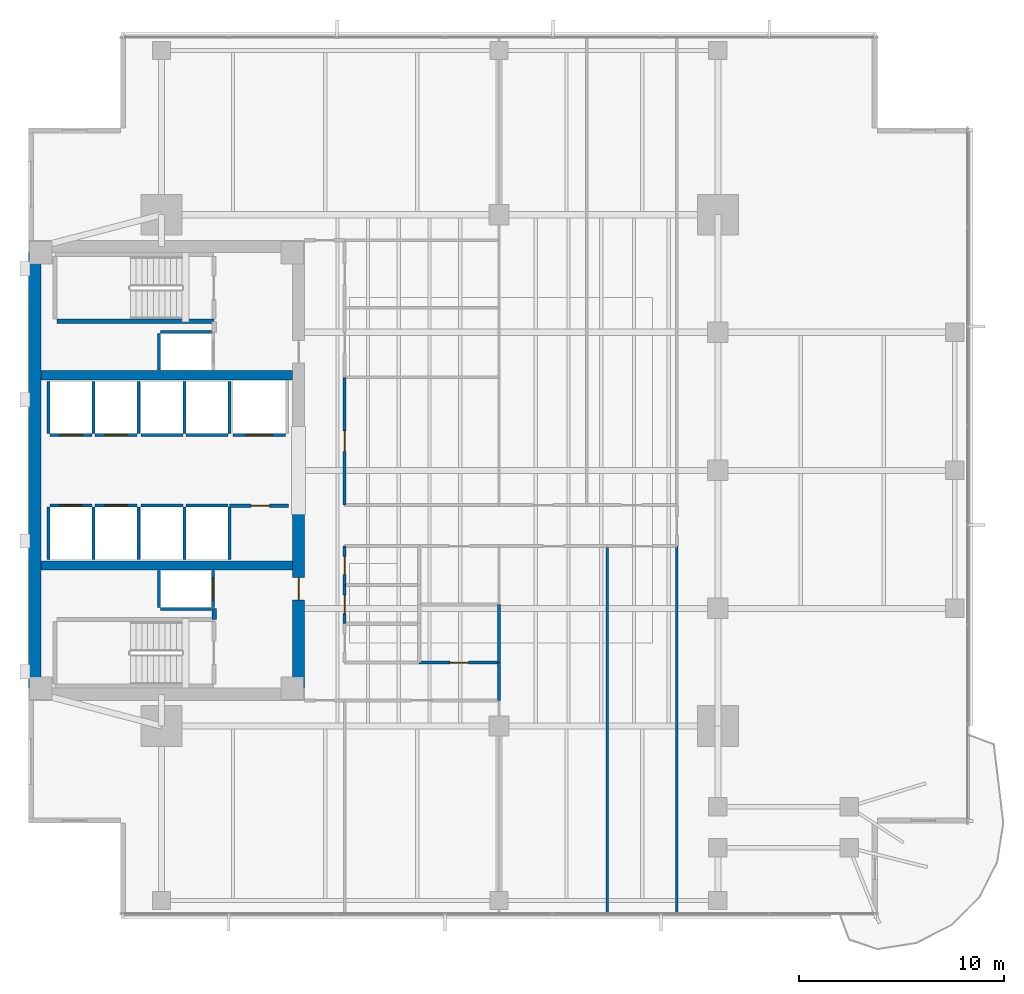
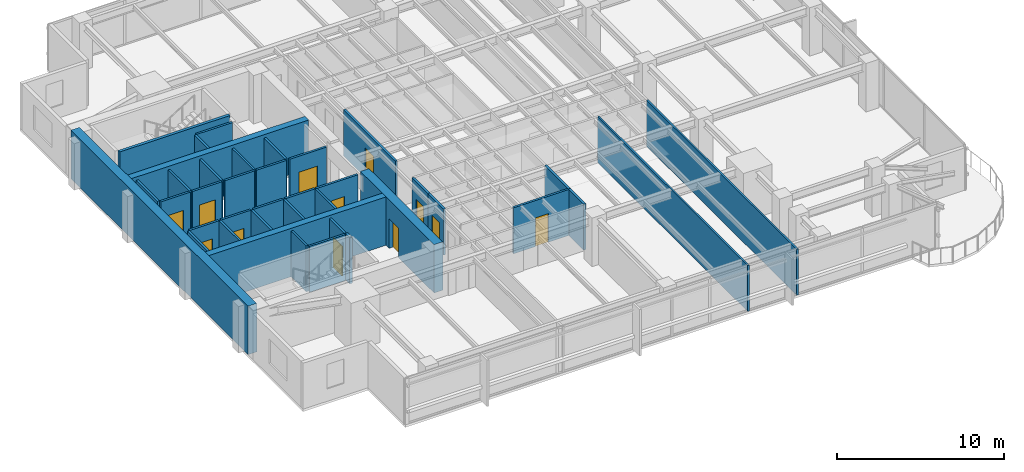
# One storey, part 8 of 14: 39 walls, 12 doors, 12 openings.
"""IFC4 building model written with IfcOpenShell, lengths in metres."""

import ifcopenshell
import ifcopenshell.guid

model = None  # the IFC model being written
_history = None  # IfcOwnerHistory: only IFC2X3 demands one
_inside = {}  # id of a spatial element -> (the spatial element, [elements in it])
_under = {}  # id of a project, library or spatial element -> (it, [spatial elements below it])
_declared = {}  # id of a project -> (the project, [libraries it declares])
_typed = {}  # id of a type object -> (the type object, [elements of that type])
_made_of = {}  # id of a material, layer set ... -> (it, [elements and type objects made of it])


def new_model(schema):
    """Start an empty IFC model of exactly this schema.

    Asked for "IFC4X3", IfcOpenShell would pick the latest addendum, in which some entities
    have other attributes; the version numbers below select the first issue.
    IFC2X3 requires an IfcOwnerHistory on every rooted entity: one is made here for all.
    """
    global model, _history
    if schema == "IFC4X3":
        model = ifcopenshell.file(schema_version=(4, 3, 0, 0))
    else:
        model = ifcopenshell.file(schema=schema)
    _inside.clear()
    _under.clear()
    _declared.clear()
    _typed.clear()
    _made_of.clear()
    _history = None
    if model.schema == "IFC2X3":
        org = make("IfcOrganization", Name="unknown")
        user = make(
            "IfcPersonAndOrganization",
            ThePerson=make("IfcPerson", FamilyName="unknown"),
            TheOrganization=org,
        )
        app = make(
            "IfcApplication",
            ApplicationDeveloper=org,
            Version="unknown",
            ApplicationFullName="unknown",
            ApplicationIdentifier="unknown",
        )
        _history = make(
            "IfcOwnerHistory",
            OwningUser=user,
            OwningApplication=app,
            ChangeAction="ADDED",
            CreationDate=0,
        )
    return model


def make(cls, **values):
    """One entity of the class cls with the attributes given. An attribute that is None is left unset."""
    return model.create_entity(
        cls, **{name: value for name, value in values.items() if value is not None}
    )


def rooted(cls, **values):
    """An entity with a GlobalId (a new one), such as an element, a storey or a relation."""
    return make(cls, GlobalId=ifcopenshell.guid.new(), OwnerHistory=_history, **values)


def si_unit(unit_type, name, prefix=None):
    """IfcSIUnit, for example si_unit("LENGTHUNIT", "METRE", prefix="MILLI")."""
    return make("IfcSIUnit", UnitType=unit_type, Prefix=prefix, Name=name)


def assignment(units):
    """IfcUnitAssignment: the units of a project."""
    return None if units is None else make("IfcUnitAssignment", Units=units)


def point(xyz):
    """IfcCartesianPoint."""
    return None if xyz is None else make("IfcCartesianPoint", Coordinates=xyz)


def direction(xyz):
    """IfcDirection."""
    return None if xyz is None else make("IfcDirection", DirectionRatios=xyz)


def frame(location, z_axis=None, x_axis=None):
    """IfcAxis2Placement3D, a coordinate frame: its origin and axes. An axis left out is left unset."""
    return make(
        "IfcAxis2Placement3D",
        Location=point(location),
        Axis=direction(z_axis),
        RefDirection=direction(x_axis),
    )


def frame_2d(location, x_axis=None):
    """IfcAxis2Placement2D, a coordinate frame in the plane: its origin and x axis."""
    return make(
        "IfcAxis2Placement2D", Location=point(location), RefDirection=direction(x_axis)
    )


def origin():
    """The frame at (0, 0, 0) with its axes left unset."""
    return frame((0.0, 0.0, 0.0))


def place(relative_to, where):
    """IfcLocalPlacement: puts the frame where relative to a parent placement (None: the world)."""
    return make(
        "IfcLocalPlacement", PlacementRelTo=relative_to, RelativePlacement=where
    )


def context(
    kind, dimensions, precision=None, world=None, true_north=None, identifier=None
):
    """IfcGeometricRepresentationContext, for example the 3D "Model" context."""
    return make(
        "IfcGeometricRepresentationContext",
        ContextIdentifier=identifier,
        ContextType=kind,
        CoordinateSpaceDimension=dimensions,
        Precision=precision,
        WorldCoordinateSystem=world,
        TrueNorth=true_north,
    )


def subcontext(parent, identifier, kind, view, scale=None):
    """IfcGeometricRepresentationSubContext, for example "Body" below "Model"."""
    return make(
        "IfcGeometricRepresentationSubContext",
        ContextIdentifier=identifier,
        ContextType=kind,
        ParentContext=parent,
        TargetScale=scale,
        TargetView=view,
    )


def project(units=None, contexts=None):
    """IfcProject with its units and contexts."""
    return rooted(
        "IfcProject",
        Name="project",
        RepresentationContexts=contexts,
        UnitsInContext=assignment(units),
    )


def spatial(cls, under=None, at=None, **own):
    """A site, building, storey or space (cls), placed at a placement, below another one or the project."""
    s = rooted(cls, ObjectPlacement=at, **own)
    if under is not None:
        _under.setdefault(under.id(), (under, []))[1].append(s)
    return s


def profile(cls, at=None, kind="AREA", **sizes):
    """A parametric profile (cls). Its sizes go by their IFC names, for example OverallWidth=200.0."""
    return make(cls, ProfileType=kind, Position=at, **sizes)


def rectangle(**sizes):
    """IfcRectangleProfileDef."""
    return profile("IfcRectangleProfileDef", **sizes)


def extrude(swept, where, along, depth):
    """IfcExtrudedAreaSolid: the profile swept, set in the frame where, extruded along a direction by depth."""
    return make(
        "IfcExtrudedAreaSolid",
        SweptArea=swept,
        Position=where,
        ExtrudedDirection=direction(along),
        Depth=depth,
    )


def shape(context_of_items, identifier, shape_type, items):
    """IfcShapeRepresentation: the items that make up one representation, for example the "Body"."""
    return make(
        "IfcShapeRepresentation",
        ContextOfItems=context_of_items,
        RepresentationIdentifier=identifier,
        RepresentationType=shape_type,
        Items=items,
    )


def material(Name=None, Category=None):
    """IfcMaterial."""
    return make("IfcMaterial", Name=Name, Category=Category)


def layer(
    of_material, thickness, ventilated=None, Name=None, Category=None, Priority=None
):
    """IfcMaterialLayer: one layer of a wall or slab, of a material (None: an air gap)."""
    return make(
        "IfcMaterialLayer",
        Material=of_material,
        LayerThickness=thickness,
        IsVentilated=ventilated,
        Name=Name,
        Category=Category,
        Priority=Priority,
    )


def layer_set(layers, Name=None):
    """IfcMaterialLayerSet."""
    return make("IfcMaterialLayerSet", MaterialLayers=layers, LayerSetName=Name)


def made_of(thing, what):
    """Note that an element or type object is made of a material, layer set ...; save() writes the relation."""
    if what is not None:
        _made_of.setdefault(what.id(), (what, []))[1].append(thing)
    return thing


def type_object(cls, material=None, **own):
    """A type object (cls), such as IfcWallType, which elements share."""
    return made_of(rooted(cls, **own), material)


def element(
    cls,
    number,
    at=None,
    inside=None,
    cuts=None,
    type_object=None,
    material=None,
    context=None,
    identifier="Body",
    shape_type=None,
    held_by="IfcProductDefinitionShape",
    body=None,
    shapes=None,
    **own,
):
    """One element of the class cls, such as IfcWall. Its Tag is "e" and its number.

    at: its placement. inside: the storey or other place that contains it. cuts: it is an
    opening in that element (IfcRelVoidsElement). A single representation is given by context,
    identifier, shape_type and body (its items); several are given by shapes. held_by: the class
    of the entity that holds the representations. save() writes the other relations.
    """
    e = rooted(cls, Tag="e%d" % number, ObjectPlacement=at, **own)
    if body is not None:
        shapes = [shape(context, identifier, shape_type, body)]
    if shapes is not None:
        e.Representation = make(held_by, Representations=shapes)
    if inside is not None:
        _inside.setdefault(inside.id(), (inside, []))[1].append(e)
    if cuts is not None:
        rooted(
            "IfcRelVoidsElement", RelatingBuildingElement=cuts, RelatedOpeningElement=e
        )
    if type_object is not None:
        _typed.setdefault(type_object.id(), (type_object, []))[1].append(e)
    return made_of(e, material)


def fill(opening, filler):
    """IfcRelFillsElement: the door or window that sits in an opening."""
    return rooted(
        "IfcRelFillsElement",
        RelatingOpeningElement=opening,
        RelatedBuildingElement=filler,
    )


def aggregate(whole, parts):
    """IfcRelAggregates: a whole, such as a stair, and the parts it consists of."""
    return rooted("IfcRelAggregates", RelatingObject=whole, RelatedObjects=parts)


def save(model, path):
    """Write the relations noted so far, then the file.

    IfcRelAggregates (storeys below a building ...), IfcRelContainedInSpatialStructure (elements
    in a storey), IfcRelDefinesByType, IfcRelAssociatesMaterial and IfcRelDeclares: one each for
    every whole, place, type object, material and project.
    """
    for whole, parts in _under.values():
        aggregate(whole, parts)
    for where, things in _inside.values():
        rooted(
            "IfcRelContainedInSpatialStructure",
            RelatedElements=things,
            RelatingStructure=where,
        )
    for kind, things in _typed.values():
        rooted("IfcRelDefinesByType", RelatedObjects=things, RelatingType=kind)
    for what, things in _made_of.values():
        rooted("IfcRelAssociatesMaterial", RelatedObjects=things, RelatingMaterial=what)
    for by, libraries in _declared.values():
        rooted("IfcRelDeclares", RelatingContext=by, RelatedDefinitions=libraries)
    model.write(path)


model = new_model("IFC4")

# Units and contexts
model_context = context("Model", 3, precision=1e-05, world=origin(), true_north=direction((0.0, 1.0)))
body_context = subcontext(model_context, "Body", "Model", "MODEL_VIEW")
ifc_project = project(units=[si_unit("LENGTHUNIT", "METRE"), si_unit("AREAUNIT", "SQUARE_METRE"), si_unit("VOLUMEUNIT", "CUBIC_METRE"), si_unit("PLANEANGLEUNIT", "RADIAN"), si_unit("MASSUNIT", "GRAM", prefix="KILO")], contexts=[model_context])

# Site, building, storey
site_placement = place(None, origin())
site = spatial("IfcSite", under=ifc_project, at=site_placement, CompositionType="ELEMENT")
building_placement = place(site_placement, origin())
building = spatial("IfcBuilding", under=site, at=building_placement, Name="Kinhvarn Gate Tower", CompositionType="ELEMENT")
storey_placement = place(building_placement, frame((0.0, 0.0, 127.10009765625)))
storey = spatial("IfcBuildingStorey", under=building, at=storey_placement, Name="L33", CompositionType="ELEMENT", Elevation=127.10009765625)

# Walls
ifc_material_1 = material(Name="Concrete C50/60", Category="concrete")
ifc_layer_1 = layer(ifc_material_1, 0.449951171875)
ifc_layer_set_1 = layer_set([ifc_layer_1], Name="Concrete C50/60")
wall_type_1 = type_object("IfcWallType", Name="WL-CORE-450", PredefinedType="SHEAR", material=ifc_layer_set_1)
for number, where, z_axis, x_axis, name in (
    (1, (5.10009765625, 20.60009765625, 0.0), (0.0, 0.0, 1.0), (1.0, 0.0, 0.0), "Core South Spine Shear Wall L33 450 mm"),
    (2, (5.10009765625, 29.89990234375, 0.0), (0.0, 0.0, 1.0), (1.0, 0.0, 0.0), "Core North Spine Shear Wall L33 450 mm"),
):
    element("IfcWall", number, at=place(storey_placement, frame(where, z_axis=z_axis, x_axis=x_axis)), inside=storey, type_object=wall_type_1, Name=name, PredefinedType="SHEAR", context=body_context, shape_type="SweptSolid", body=[
        extrude(rectangle(XDim=12.2998046875, YDim=0.449951171875, at=frame_2d((6.14990234375, 0.0))), origin(), (0.0, 0.0, 1.0), 3.5498046875),
    ])

# Wall, opening, door
ifc_material_2 = material(Name="Concrete C60/75", Category="concrete")
ifc_layer_2 = layer(ifc_material_2, 0.60009765625)
ifc_layer_set_2 = layer_set([ifc_layer_2], Name="Concrete C60/75")
wall_type_2 = type_object("IfcWallType", Name="WL-CORE-600", PredefinedType="SHEAR", material=ifc_layer_set_2)
wall_1_placement = place(storey_placement, frame((17.699951171875, 14.60009765625, 0.0), z_axis=(0.0, 0.0, 1.0), x_axis=(0.0, 1.0, 0.0)))
wall_1 = element("IfcWall", 3, at=wall_1_placement, inside=storey, type_object=wall_type_2, Name="Core East-South Shear Pier L33 600 mm", PredefinedType="SHEAR", context=body_context, shape_type="SweptSolid", body=[
    extrude(rectangle(XDim=8.849853515625, YDim=0.60009765625, at=frame_2d((4.4248046875, 0.0))), origin(), (0.0, 0.0, 1.0), 3.5498046875),
])
opening_1_placement = place(wall_1_placement, frame((4.300048828125, 0.0, 0.0)))
opening_1 = element("IfcOpeningElement", 4, at=opening_1_placement, cuts=wall_1, Name="Opening FD-02", PredefinedType="OPENING", context=body_context, shape_type="SweptSolid", body=[
    extrude(rectangle(XDim=1.10009765625, YDim=2.14990234375, at=frame_2d((0.550048828125, 1.074951171875))), frame((0.0, 0.31005859375, 0.0), z_axis=(0.0, -1.0, 0.0), x_axis=(1.0, 0.0, 0.0)), (0.0, 0.0, 1.0), 0.6201171875),
])
ifc_material_3 = material(Name="Anodised aluminium AW-6063", Category="aluminium")
door_type_1 = type_object("IfcDoorType", Name="DR-FD-1100", OperationType="NOTDEFINED", PredefinedType="DOOR", material=ifc_material_3)
door_1_placement = place(opening_1_placement, origin())
door_1 = element("IfcDoor", 5, at=door_1_placement, inside=storey, type_object=door_type_1, Name="Firefighting Lobby Core Door (L33)", OperationType="SINGLE_SWING_RIGHT", OverallHeight=2.14990234375, OverallWidth=1.10009765625, PredefinedType="DOOR", context=body_context, shape_type="SweptSolid", body=[
    extrude(rectangle(XDim=1.10009765625, YDim=2.14990234375, at=frame_2d((0.550048828125, 1.074951171875))), frame((0.0, 0.02490234375, 0.0), z_axis=(0.0, -1.0, 0.0), x_axis=(1.0, 0.0, 0.0)), (0.0, 0.0, 1.0), 0.050048828125),
])
fill(opening_1, door_1)

# Walls
ifc_layer_3 = layer(ifc_material_2, 0.60009765625)
ifc_layer_set_3 = layer_set([ifc_layer_3], Name="Concrete C60/75")
wall_type_3 = type_object("IfcWallType", Name="WL-COREX-600", PredefinedType="SHEAR", material=ifc_layer_set_3)
wall_2_placement = place(storey_placement, frame((4.800048828125, 14.60009765625, 0.0), z_axis=(0.0, 0.0, 1.0), x_axis=(0.0, 1.0, 0.0)))
element("IfcWall", 6, at=wall_2_placement, inside=storey, type_object=wall_type_3, Name="Core West Shear Wall L33 600 mm", PredefinedType="SHEAR", context=body_context, shape_type="SweptSolid", body=[
    extrude(rectangle(XDim=21.2998046875, YDim=0.60009765625, at=frame_2d((10.64990234375, 0.0))), origin(), (0.0, 0.0, 1.0), 3.5498046875),
])
ifc_material_4 = material(Name="Gypsum acoustic partition board")
ifc_layer_4 = layer(ifc_material_4, 0.14990234375)
ifc_layer_set_4 = layer_set([ifc_layer_4], Name="Gypsum acoustic partition board")
wall_type_4 = type_object("IfcWallType", Name="WL-PLM-150", PredefinedType="PLUMBINGWALL", material=ifc_layer_set_4)
wall_3_placement = place(storey_placement, frame((27.5, 15.85009765625, 0.0), z_axis=(0.0, 0.0, 1.0), x_axis=(0.0, 1.0, 0.0)))
element("IfcWall", 7, at=wall_3_placement, inside=storey, type_object=wall_type_4, Name="Interior Partition PLW-150 (L33)", PredefinedType="PLUMBINGWALL", context=body_context, shape_type="SweptSolid", body=[
    extrude(rectangle(XDim=2.849853515625, YDim=0.14990234375, at=frame_2d((1.4248046875, 0.0))), origin(), (0.0, 0.0, 1.0), 3.369873046875),
])

# Wall, opening, door
ifc_layer_5 = layer(ifc_material_4, 0.14990234375)
ifc_layer_set_5 = layer_set([ifc_layer_5], Name="Gypsum acoustic partition board")
wall_type_5 = type_object("IfcWallType", Name="WL-PLM-150F", PredefinedType="PLUMBINGWALL", material=ifc_layer_set_5)
wall_4_placement = place(storey_placement, frame((19.949951171875, 17.75, 0.0), z_axis=(0.0, 0.0, 1.0), x_axis=(0.0, 1.0, 0.0)))
wall_4 = element("IfcWall", 8, at=wall_4_placement, inside=storey, type_object=wall_type_5, Name="Interior Partition PLW-150F (L33)", PredefinedType="PLUMBINGWALL", context=body_context, shape_type="SweptSolid", body=[
    extrude(rectangle(XDim=1.89990234375, YDim=0.14990234375, at=frame_2d((0.949951171875, 0.0))), origin(), (0.0, 0.0, 1.0), 3.369873046875),
])
opening_2_placement = place(wall_4_placement, frame((0.5, 0.0, 0.0)))
opening_2 = element("IfcOpeningElement", 9, at=opening_2_placement, cuts=wall_4, Name="Opening FD-04", PredefinedType="OPENING", context=body_context, shape_type="SweptSolid", body=[
    extrude(rectangle(XDim=0.89990234375, YDim=2.10009765625, at=frame_2d((0.449951171875, 1.050048828125))), frame((0.0, 0.0849609375, 0.0), z_axis=(0.0, -1.0, 0.0), x_axis=(1.0, 0.0, 0.0)), (0.0, 0.0, 1.0), 0.169921875),
])
door_type_2 = type_object("IfcDoorType", Name="DR-FD-900", OperationType="NOTDEFINED", PredefinedType="DOOR", material=ifc_material_3)
door_2_placement = place(opening_2_placement, origin())
door_2 = element("IfcDoor", 10, at=door_2_placement, inside=storey, type_object=door_type_2, Name="Rated Riser & Service Closet Fire Door 900x2100 mm (L33)", OperationType="SINGLE_SWING_LEFT", OverallHeight=2.10009765625, OverallWidth=0.89990234375, PredefinedType="DOOR", context=body_context, shape_type="SweptSolid", body=[
    extrude(rectangle(XDim=0.89990234375, YDim=2.10009765625, at=frame_2d((0.449951171875, 1.050048828125))), frame((0.0, 0.02490234375, 0.0), z_axis=(0.0, -1.0, 0.0), x_axis=(1.0, 0.0, 0.0)), (0.0, 0.0, 1.0), 0.050048828125),
])
fill(opening_2, door_2)

wall_5_placement = place(storey_placement, frame((19.949951171875, 19.64990234375, 0.0), z_axis=(0.0, 0.0, 1.0), x_axis=(0.0, 1.0, 0.0)))
wall_5 = element("IfcWall", 11, at=wall_5_placement, inside=storey, type_object=wall_type_5, Name="Interior Partition PLW-150F (L33)", PredefinedType="PLUMBINGWALL", context=body_context, shape_type="SweptSolid", body=[
    extrude(rectangle(XDim=1.900146484375, YDim=0.14990234375, at=frame_2d((0.9501953125, 0.0))), origin(), (0.0, 0.0, 1.0), 3.369873046875),
])
opening_3_placement = place(wall_5_placement, frame((0.5, 0.0, 0.0)))
opening_3 = element("IfcOpeningElement", 12, at=opening_3_placement, cuts=wall_5, Name="Opening FD-04", PredefinedType="OPENING", context=body_context, shape_type="SweptSolid", body=[
    extrude(rectangle(XDim=0.89990234375, YDim=2.10009765625, at=frame_2d((0.449951171875, 1.050048828125))), frame((0.0, 0.0849609375, 0.0), z_axis=(0.0, -1.0, 0.0), x_axis=(1.0, 0.0, 0.0)), (0.0, 0.0, 1.0), 0.169921875),
])
door_3_placement = place(opening_3_placement, origin())
door_3 = element("IfcDoor", 13, at=door_3_placement, inside=storey, type_object=door_type_2, Name="Rated Riser & Service Closet Fire Door 900x2100 mm (L33)", OperationType="SINGLE_SWING_RIGHT", OverallHeight=2.10009765625, OverallWidth=0.89990234375, PredefinedType="DOOR", context=body_context, shape_type="SweptSolid", body=[
    extrude(rectangle(XDim=0.89990234375, YDim=2.10009765625, at=frame_2d((0.449951171875, 1.050048828125))), frame((0.0, 0.02490234375, 0.0), z_axis=(0.0, -1.0, 0.0), x_axis=(1.0, 0.0, 0.0)), (0.0, 0.0, 1.0), 0.050048828125),
])
fill(opening_3, door_3)

wall_6_placement = place(storey_placement, frame((23.60009765625, 15.85009765625, 0.0), z_axis=(0.0, 0.0, 1.0), x_axis=(1.0, 0.0, 0.0)))
wall_6 = element("IfcWall", 14, at=wall_6_placement, inside=storey, type_object=wall_type_5, Name="Interior Partition PLW-150F (L33)", PredefinedType="PLUMBINGWALL", context=body_context, shape_type="SweptSolid", body=[
    extrude(rectangle(XDim=3.89990234375, YDim=0.14990234375, at=frame_2d((1.949951171875, 0.0))), origin(), (0.0, 0.0, 1.0), 3.369873046875),
])
opening_4_placement = place(wall_6_placement, frame((1.5, 0.0, 0.0)))
opening_4 = element("IfcOpeningElement", 15, at=opening_4_placement, cuts=wall_6, Name="Opening FD-04", PredefinedType="OPENING", context=body_context, shape_type="SweptSolid", body=[
    extrude(rectangle(XDim=0.89990234375, YDim=2.10009765625, at=frame_2d((0.449951171875, 1.050048828125))), frame((0.0, 0.0849609375, 0.0), z_axis=(0.0, -1.0, 0.0), x_axis=(1.0, 0.0, 0.0)), (0.0, 0.0, 1.0), 0.169921875),
])
door_4_placement = place(opening_4_placement, origin())
door_4 = element("IfcDoor", 16, at=door_4_placement, inside=storey, type_object=door_type_2, Name="Rated Riser & Service Closet Fire Door 900x2100 mm (L33)", OperationType="SINGLE_SWING_RIGHT", OverallHeight=2.10009765625, OverallWidth=0.89990234375, PredefinedType="DOOR", context=body_context, shape_type="SweptSolid", body=[
    extrude(rectangle(XDim=0.89990234375, YDim=2.10009765625, at=frame_2d((0.449951171875, 1.050048828125))), frame((0.0, 0.02490234375, 0.0), z_axis=(0.0, -1.0, 0.0), x_axis=(1.0, 0.0, 0.0)), (0.0, 0.0, 1.0), 0.050048828125),
])
fill(opening_4, door_4)

# Walls
ifc_layer_6 = layer(ifc_material_4, 0.1201171875)
ifc_layer_set_6 = layer_set([ifc_layer_6], Name="Gypsum acoustic partition board")
wall_type_6 = type_object("IfcWallType", Name="WL-PRT-120", PredefinedType="PARTITIONING", material=ifc_layer_set_6)
for number, where, z_axis, x_axis, name in (
    (17, (32.800048828125, 3.510009765625, 0.0), (0.0, 0.0, 1.0), (0.0, 1.0, 0.0), "Interior Partition PW-120 (L33)"),
    (18, (36.199951171875, 3.510009765625, 0.0), (0.0, 0.0, 1.0), (0.0, 1.0, 0.0), "Interior Partition PW-120 (L33)"),
):
    element("IfcWall", number, at=place(storey_placement, frame(where, z_axis=z_axis, x_axis=x_axis)), inside=storey, type_object=wall_type_6, Name=name, PredefinedType="PARTITIONING", context=body_context, shape_type="SweptSolid", body=[
        extrude(rectangle(XDim=18.0400390625, YDim=0.1201171875, at=frame_2d((9.02001953125, 0.0))), origin(), (0.0, 0.0, 1.0), 3.369873046875),
    ])

# Wall, opening, door
ifc_layer_7 = layer(ifc_material_4, 0.14990234375)
ifc_layer_set_7 = layer_set([ifc_layer_7], Name="Gypsum acoustic partition board")
wall_type_7 = type_object("IfcWallType", Name="WL-PRT-150F", PredefinedType="PARTITIONING", material=ifc_layer_set_7)
wall_7_placement = place(storey_placement, frame((14.330078125, 23.52001953125, 0.0), z_axis=(0.0, 0.0, 1.0), x_axis=(1.0, 0.0, 0.0)))
wall_7 = element("IfcWall", 19, at=wall_7_placement, inside=storey, type_object=wall_type_7, Name="Interior Partition PW-150F (L33)", PredefinedType="PARTITIONING", context=body_context, shape_type="SweptSolid", body=[
    extrude(rectangle(XDim=2.889892578125, YDim=0.14990234375, at=frame_2d((1.44482421875, 0.0))), origin(), (0.0, 0.0, 1.0), 3.369873046875),
])
opening_5_placement = place(wall_7_placement, frame((1.052734375, 0.0, 0.0)))
opening_5 = element("IfcOpeningElement", 20, at=opening_5_placement, cuts=wall_7, Name="Opening FD-04", PredefinedType="OPENING", context=body_context, shape_type="SweptSolid", body=[
    extrude(rectangle(XDim=0.89990234375, YDim=2.10009765625, at=frame_2d((0.449951171875, 1.050048828125))), frame((0.0, 0.0849609375, 0.0), z_axis=(0.0, -1.0, 0.0), x_axis=(1.0, 0.0, 0.0)), (0.0, 0.0, 1.0), 0.169921875),
])
door_5_placement = place(opening_5_placement, origin())
door_5 = element("IfcDoor", 21, at=door_5_placement, inside=storey, type_object=door_type_2, Name="Rated Riser & Service Closet Fire Door 900x2100 mm (L33)", OperationType="SINGLE_SWING_LEFT", OverallHeight=2.10009765625, OverallWidth=0.89990234375, PredefinedType="DOOR", context=body_context, shape_type="SweptSolid", body=[
    extrude(rectangle(XDim=0.89990234375, YDim=2.10009765625, at=frame_2d((0.449951171875, 1.050048828125))), frame((0.0, 0.02490234375, 0.0), z_axis=(0.0, -1.0, 0.0), x_axis=(1.0, 0.0, 0.0)), (0.0, 0.0, 1.0), 0.050048828125),
])
fill(opening_5, door_5)

wall_8_placement = place(storey_placement, frame((19.949951171875, 23.550048828125, 0.0), z_axis=(0.0, 0.0, 1.0), x_axis=(0.0, 1.0, 0.0)))
wall_8 = element("IfcWall", 22, at=wall_8_placement, inside=storey, type_object=wall_type_7, Name="Interior Partition PW-150F (L33)", PredefinedType="PARTITIONING", context=body_context, shape_type="SweptSolid", body=[
    extrude(rectangle(XDim=6.25, YDim=0.14990234375, at=frame_2d((3.125, 0.0))), origin(), (0.0, 0.0, 1.0), 3.369873046875),
])
opening_6_placement = place(wall_8_placement, frame((2.625, 0.0, 0.0)))
opening_6 = element("IfcOpeningElement", 23, at=opening_6_placement, cuts=wall_8, Name="Opening ID-02", PredefinedType="OPENING", context=body_context, shape_type="SweptSolid", body=[
    extrude(rectangle(XDim=1.0, YDim=2.14990234375, at=frame_2d((0.5, 1.074951171875))), frame((0.0, 0.0849609375, 0.0), z_axis=(0.0, -1.0, 0.0), x_axis=(1.0, 0.0, 0.0)), (0.0, 0.0, 1.0), 0.169921875),
])
door_type_3 = type_object("IfcDoorType", Name="DR-INT-1000", OperationType="NOTDEFINED", PredefinedType="DOOR", material=ifc_material_3)
door_6_placement = place(opening_6_placement, origin())
door_6 = element("IfcDoor", 24, at=door_6_placement, inside=storey, type_object=door_type_3, Name="Standard Office & Meeting Room Door 1000x2150 mm (L33)", OperationType="SINGLE_SWING_LEFT", OverallHeight=2.14990234375, OverallWidth=1.0, PredefinedType="DOOR", context=body_context, shape_type="SweptSolid", body=[
    extrude(rectangle(XDim=1.0, YDim=2.14990234375, at=frame_2d((0.5, 1.074951171875))), frame((0.0, 0.02490234375, 0.0), z_axis=(0.0, -1.0, 0.0), x_axis=(1.0, 0.0, 0.0)), (0.0, 0.0, 1.0), 0.050048828125),
])
fill(opening_6, door_6)

# Walls
wall_9_placement = place(storey_placement, frame((27.5, 14.0, 0.0), z_axis=(0.0, 0.0, 1.0), x_axis=(0.0, 1.0, 0.0)))
element("IfcWall", 25, at=wall_9_placement, inside=storey, type_object=wall_type_7, Name="Interior Partition PW-150F (L33)", PredefinedType="PARTITIONING", context=body_context, shape_type="SweptSolid", body=[
    extrude(rectangle(XDim=1.85009765625, YDim=0.14990234375, at=frame_2d((0.925048828125, 0.0))), origin(), (0.0, 0.0, 1.0), 3.369873046875),
])
ifc_layer_8 = layer(ifc_material_4, 0.199951171875)
ifc_layer_set_8 = layer_set([ifc_layer_8], Name="Gypsum acoustic partition board")
wall_type_8 = type_object("IfcWallType", Name="WL-PRT-200", PredefinedType="PARTITIONING", material=ifc_layer_set_8)
wall_10_placement = place(storey_placement, frame((13.580078125, 17.9599609375, 0.0), z_axis=(0.0, 0.0, 1.0), x_axis=(0.0, 1.0, 0.0)))
element("IfcWall", 26, at=wall_10_placement, inside=storey, type_object=wall_type_8, Name="Interior Partition PW-200 (L33)", PredefinedType="PARTITIONING", context=body_context, shape_type="SweptSolid", body=[
    extrude(rectangle(XDim=0.5400390625, YDim=0.199951171875, at=frame_2d((0.27001953125, 0.0))), origin(), (0.0, 0.0, 1.0), 3.369873046875),
])

# Wall, opening, door
ifc_layer_9 = layer(ifc_material_4, 0.14990234375)
ifc_layer_set_9 = layer_set([ifc_layer_9], Name="Gypsum acoustic partition board")
wall_type_9 = type_object("IfcWallType", Name="WL-SHF-150", PredefinedType="PARTITIONING", material=ifc_layer_set_9)
wall_11_placement = place(storey_placement, frame((5.550048828125, 23.52490234375, 0.0), z_axis=(0.0, 0.0, 1.0), x_axis=(1.0, 0.0, 0.0)))
wall_11 = element("IfcWall", 27, at=wall_11_placement, inside=storey, type_object=wall_type_9, Name="Elevator PM-05 Landing Wall (L33)", PredefinedType="PARTITIONING", context=body_context, shape_type="SweptSolid", body=[
    extrude(rectangle(XDim=2.050048828125, YDim=0.14990234375, at=frame_2d((1.02490234375, 0.0))), origin(), (0.0, 0.0, 1.0), 3.369873046875),
])
opening_7_placement = place(wall_11_placement, frame((0.47509765625, 0.0, 0.0)))
opening_7 = element("IfcOpeningElement", 28, at=opening_7_placement, cuts=wall_11, Name="Opening LD-01", PredefinedType="OPENING", context=body_context, shape_type="SweptSolid", body=[
    extrude(rectangle(XDim=1.10009765625, YDim=2.199951171875, at=frame_2d((0.550048828125, 1.10009765625))), frame((0.0, 0.0849609375, 0.0), z_axis=(0.0, -1.0, 0.0), x_axis=(1.0, 0.0, 0.0)), (0.0, 0.0, 1.0), 0.169921875),
])
door_type_4 = type_object("IfcDoorType", Name="DR-LND-PAS", OperationType="NOTDEFINED", PredefinedType="DOOR", material=ifc_material_3)
door_7_placement = place(opening_7_placement, origin())
door_7 = element("IfcDoor", 29, at=door_7_placement, inside=storey, type_object=door_type_4, Name="Elevator PM-05 Sliding Landing Door (L33)", OperationType="DOUBLE_DOOR_SLIDING", OverallHeight=2.199951171875, OverallWidth=1.10009765625, PredefinedType="DOOR", context=body_context, shape_type="SweptSolid", body=[
    extrude(rectangle(XDim=1.10009765625, YDim=2.199951171875, at=frame_2d((0.550048828125, 1.10009765625))), frame((0.0, 0.02490234375, 0.0), z_axis=(0.0, -1.0, 0.0), x_axis=(1.0, 0.0, 0.0)), (0.0, 0.0, 1.0), 0.050048828125),
])
fill(opening_7, door_7)

# Walls
for number, where, z_axis, x_axis, name in (
    (30, (5.47509765625, 20.89990234375, 0.0), (0.0, 0.0, 1.0), (0.0, 1.0, 0.0), "Elevator PM-05 Hoistway Wall W (L33)"),
    (31, (7.675048828125, 20.89990234375, 0.0), (0.0, 0.0, 1.0), (0.0, 1.0, 0.0), "Elevator PM-05 Hoistway Wall E (L33)"),
):
    element("IfcWall", number, at=place(storey_placement, frame(where, z_axis=z_axis, x_axis=x_axis)), inside=storey, type_object=wall_type_9, Name=name, PredefinedType="PARTITIONING", context=body_context, shape_type="SweptSolid", body=[
        extrude(rectangle(XDim=2.550048828125, YDim=0.14990234375, at=frame_2d((1.27490234375, 0.0))), origin(), (0.0, 0.0, 1.0), 3.369873046875),
    ])

# Wall, opening, door
wall_12_placement = place(storey_placement, frame((7.75, 23.52490234375, 0.0), z_axis=(0.0, 0.0, 1.0), x_axis=(1.0, 0.0, 0.0)))
wall_12 = element("IfcWall", 32, at=wall_12_placement, inside=storey, type_object=wall_type_9, Name="Elevator PM-06 Landing Wall (L33)", PredefinedType="PARTITIONING", context=body_context, shape_type="SweptSolid", body=[
    extrude(rectangle(XDim=2.050048828125, YDim=0.14990234375, at=frame_2d((1.02490234375, 0.0))), origin(), (0.0, 0.0, 1.0), 3.369873046875),
])
opening_8_placement = place(wall_12_placement, frame((0.47509765625, 0.0, 0.0)))
opening_8 = element("IfcOpeningElement", 33, at=opening_8_placement, cuts=wall_12, Name="Opening LD-01", PredefinedType="OPENING", context=body_context, shape_type="SweptSolid", body=[
    extrude(rectangle(XDim=1.10009765625, YDim=2.199951171875, at=frame_2d((0.550048828125, 1.10009765625))), frame((0.0, 0.0849609375, 0.0), z_axis=(0.0, -1.0, 0.0), x_axis=(1.0, 0.0, 0.0)), (0.0, 0.0, 1.0), 0.169921875),
])
door_8_placement = place(opening_8_placement, origin())
door_8 = element("IfcDoor", 34, at=door_8_placement, inside=storey, type_object=door_type_4, Name="Elevator PM-06 Sliding Landing Door (L33)", OperationType="DOUBLE_DOOR_SLIDING", OverallHeight=2.199951171875, OverallWidth=1.10009765625, PredefinedType="DOOR", context=body_context, shape_type="SweptSolid", body=[
    extrude(rectangle(XDim=1.10009765625, YDim=2.199951171875, at=frame_2d((0.550048828125, 1.10009765625))), frame((0.0, 0.02490234375, 0.0), z_axis=(0.0, -1.0, 0.0), x_axis=(1.0, 0.0, 0.0)), (0.0, 0.0, 1.0), 0.050048828125),
])
fill(opening_8, door_8)

# Wall
wall_13_placement = place(storey_placement, frame((9.875, 20.89990234375, 0.0), z_axis=(0.0, 0.0, 1.0), x_axis=(0.0, 1.0, 0.0)))
element("IfcWall", 35, at=wall_13_placement, inside=storey, type_object=wall_type_9, Name="Elevator PM-06 Hoistway Wall E (L33)", PredefinedType="PARTITIONING", context=body_context, shape_type="SweptSolid", body=[
    extrude(rectangle(XDim=2.550048828125, YDim=0.14990234375, at=frame_2d((1.27490234375, 0.0))), origin(), (0.0, 0.0, 1.0), 3.369873046875),
])

# Wall, opening, door
wall_14_placement = place(storey_placement, frame((5.550048828125, 26.97509765625, 0.0), z_axis=(0.0, 0.0, 1.0), x_axis=(1.0, 0.0, 0.0)))
wall_14 = element("IfcWall", 36, at=wall_14_placement, inside=storey, type_object=wall_type_9, Name="Elevator PM-07 Landing Wall (L33)", PredefinedType="PARTITIONING", context=body_context, shape_type="SweptSolid", body=[
    extrude(rectangle(XDim=2.050048828125, YDim=0.14990234375, at=frame_2d((1.02490234375, 0.0))), origin(), (0.0, 0.0, 1.0), 3.369873046875),
])
opening_9_placement = place(wall_14_placement, frame((0.47509765625, 0.0, 0.0)))
opening_9 = element("IfcOpeningElement", 37, at=opening_9_placement, cuts=wall_14, Name="Opening LD-01", PredefinedType="OPENING", context=body_context, shape_type="SweptSolid", body=[
    extrude(rectangle(XDim=1.10009765625, YDim=2.199951171875, at=frame_2d((0.550048828125, 1.10009765625))), frame((0.0, 0.0849609375, 0.0), z_axis=(0.0, -1.0, 0.0), x_axis=(1.0, 0.0, 0.0)), (0.0, 0.0, 1.0), 0.169921875),
])
door_9_placement = place(opening_9_placement, origin())
door_9 = element("IfcDoor", 38, at=door_9_placement, inside=storey, type_object=door_type_4, Name="Elevator PM-07 Sliding Landing Door (L33)", OperationType="DOUBLE_DOOR_SLIDING", OverallHeight=2.199951171875, OverallWidth=1.10009765625, PredefinedType="DOOR", context=body_context, shape_type="SweptSolid", body=[
    extrude(rectangle(XDim=1.10009765625, YDim=2.199951171875, at=frame_2d((0.550048828125, 1.10009765625))), frame((0.0, 0.02490234375, 0.0), z_axis=(0.0, -1.0, 0.0), x_axis=(1.0, 0.0, 0.0)), (0.0, 0.0, 1.0), 0.050048828125),
])
fill(opening_9, door_9)

# Walls
for number, where, z_axis, x_axis, name in (
    (39, (5.47509765625, 27.050048828125, 0.0), (0.0, 0.0, 1.0), (0.0, 1.0, 0.0), "Elevator PM-07 Hoistway Wall W (L33)"),
    (40, (7.675048828125, 27.050048828125, 0.0), (0.0, 0.0, 1.0), (0.0, 1.0, 0.0), "Elevator PM-07 Hoistway Wall E (L33)"),
):
    element("IfcWall", number, at=place(storey_placement, frame(where, z_axis=z_axis, x_axis=x_axis)), inside=storey, type_object=wall_type_9, Name=name, PredefinedType="PARTITIONING", context=body_context, shape_type="SweptSolid", body=[
        extrude(rectangle(XDim=2.550048828125, YDim=0.14990234375, at=frame_2d((1.27490234375, 0.0))), origin(), (0.0, 0.0, 1.0), 3.369873046875),
    ])

# Wall, opening, door
wall_15_placement = place(storey_placement, frame((7.75, 26.97509765625, 0.0), z_axis=(0.0, 0.0, 1.0), x_axis=(1.0, 0.0, 0.0)))
wall_15 = element("IfcWall", 41, at=wall_15_placement, inside=storey, type_object=wall_type_9, Name="Elevator PM-08 Landing Wall (L33)", PredefinedType="PARTITIONING", context=body_context, shape_type="SweptSolid", body=[
    extrude(rectangle(XDim=2.050048828125, YDim=0.14990234375, at=frame_2d((1.02490234375, 0.0))), origin(), (0.0, 0.0, 1.0), 3.369873046875),
])
opening_10_placement = place(wall_15_placement, frame((0.47509765625, 0.0, 0.0)))
opening_10 = element("IfcOpeningElement", 42, at=opening_10_placement, cuts=wall_15, Name="Opening LD-01", PredefinedType="OPENING", context=body_context, shape_type="SweptSolid", body=[
    extrude(rectangle(XDim=1.10009765625, YDim=2.199951171875, at=frame_2d((0.550048828125, 1.10009765625))), frame((0.0, 0.0849609375, 0.0), z_axis=(0.0, -1.0, 0.0), x_axis=(1.0, 0.0, 0.0)), (0.0, 0.0, 1.0), 0.169921875),
])
door_10_placement = place(opening_10_placement, origin())
door_10 = element("IfcDoor", 43, at=door_10_placement, inside=storey, type_object=door_type_4, Name="Elevator PM-08 Sliding Landing Door (L33)", OperationType="DOUBLE_DOOR_SLIDING", OverallHeight=2.199951171875, OverallWidth=1.10009765625, PredefinedType="DOOR", context=body_context, shape_type="SweptSolid", body=[
    extrude(rectangle(XDim=1.10009765625, YDim=2.199951171875, at=frame_2d((0.550048828125, 1.10009765625))), frame((0.0, 0.02490234375, 0.0), z_axis=(0.0, -1.0, 0.0), x_axis=(1.0, 0.0, 0.0)), (0.0, 0.0, 1.0), 0.050048828125),
])
fill(opening_10, door_10)

# Walls
wall_16_placement = place(storey_placement, frame((9.875, 27.050048828125, 0.0), z_axis=(0.0, 0.0, 1.0), x_axis=(0.0, 1.0, 0.0)))
element("IfcWall", 44, at=wall_16_placement, inside=storey, type_object=wall_type_9, Name="Elevator PM-08 Hoistway Wall E (L33)", PredefinedType="PARTITIONING", context=body_context, shape_type="SweptSolid", body=[
    extrude(rectangle(XDim=2.550048828125, YDim=0.14990234375, at=frame_2d((1.27490234375, 0.0))), origin(), (0.0, 0.0, 1.0), 3.369873046875),
])
wall_17_placement = place(storey_placement, frame((10.0, 23.52490234375, 0.0), z_axis=(0.0, 0.0, 1.0), x_axis=(1.0, 0.0, 0.0)))
element("IfcWall", 45, at=wall_17_placement, inside=storey, type_object=wall_type_9, Name="Elevator PH-09 Landing Wall (L33)", PredefinedType="PARTITIONING", context=body_context, shape_type="SweptSolid", body=[
    extrude(rectangle(XDim=2.050048828125, YDim=0.14990234375, at=frame_2d((1.02490234375, 0.0))), origin(), (0.0, 0.0, 1.0), 3.369873046875),
])
wall_18_placement = place(storey_placement, frame((12.125, 20.89990234375, 0.0), z_axis=(0.0, 0.0, 1.0), x_axis=(0.0, 1.0, 0.0)))
element("IfcWall", 46, at=wall_18_placement, inside=storey, type_object=wall_type_9, Name="Elevator PH-09 Hoistway Wall E (L33)", PredefinedType="PARTITIONING", context=body_context, shape_type="SweptSolid", body=[
    extrude(rectangle(XDim=2.550048828125, YDim=0.14990234375, at=frame_2d((1.27490234375, 0.0))), origin(), (0.0, 0.0, 1.0), 3.369873046875),
])
wall_19_placement = place(storey_placement, frame((12.199951171875, 23.52490234375, 0.0), z_axis=(0.0, 0.0, 1.0), x_axis=(1.0, 0.0, 0.0)))
element("IfcWall", 47, at=wall_19_placement, inside=storey, type_object=wall_type_9, Name="Elevator PH-10 Landing Wall (L33)", PredefinedType="PARTITIONING", context=body_context, shape_type="SweptSolid", body=[
    extrude(rectangle(XDim=2.050048828125, YDim=0.14990234375, at=frame_2d((1.02490234375, 0.0))), origin(), (0.0, 0.0, 1.0), 3.369873046875),
])
wall_20_placement = place(storey_placement, frame((14.324951171875, 20.89990234375, 0.0), z_axis=(0.0, 0.0, 1.0), x_axis=(0.0, 1.0, 0.0)))
element("IfcWall", 48, at=wall_20_placement, inside=storey, type_object=wall_type_9, Name="Elevator PH-10 Hoistway Wall E (L33)", PredefinedType="PARTITIONING", context=body_context, shape_type="SweptSolid", body=[
    extrude(rectangle(XDim=2.550048828125, YDim=0.14990234375, at=frame_2d((1.27490234375, 0.0))), origin(), (0.0, 0.0, 1.0), 3.369873046875),
])
wall_21_placement = place(storey_placement, frame((10.0, 26.97509765625, 0.0), z_axis=(0.0, 0.0, 1.0), x_axis=(1.0, 0.0, 0.0)))
element("IfcWall", 49, at=wall_21_placement, inside=storey, type_object=wall_type_9, Name="Elevator PH-11 Landing Wall (L33)", PredefinedType="PARTITIONING", context=body_context, shape_type="SweptSolid", body=[
    extrude(rectangle(XDim=2.050048828125, YDim=0.14990234375, at=frame_2d((1.02490234375, 0.0))), origin(), (0.0, 0.0, 1.0), 3.369873046875),
])
wall_22_placement = place(storey_placement, frame((12.125, 27.050048828125, 0.0), z_axis=(0.0, 0.0, 1.0), x_axis=(0.0, 1.0, 0.0)))
element("IfcWall", 50, at=wall_22_placement, inside=storey, type_object=wall_type_9, Name="Elevator PH-11 Hoistway Wall E (L33)", PredefinedType="PARTITIONING", context=body_context, shape_type="SweptSolid", body=[
    extrude(rectangle(XDim=2.550048828125, YDim=0.14990234375, at=frame_2d((1.27490234375, 0.0))), origin(), (0.0, 0.0, 1.0), 3.369873046875),
])
wall_23_placement = place(storey_placement, frame((12.199951171875, 26.97509765625, 0.0), z_axis=(0.0, 0.0, 1.0), x_axis=(1.0, 0.0, 0.0)))
element("IfcWall", 51, at=wall_23_placement, inside=storey, type_object=wall_type_9, Name="Elevator PH-12 Landing Wall (L33)", PredefinedType="PARTITIONING", context=body_context, shape_type="SweptSolid", body=[
    extrude(rectangle(XDim=2.050048828125, YDim=0.14990234375, at=frame_2d((1.02490234375, 0.0))), origin(), (0.0, 0.0, 1.0), 3.369873046875),
])
wall_24_placement = place(storey_placement, frame((14.324951171875, 27.050048828125, 0.0), z_axis=(0.0, 0.0, 1.0), x_axis=(0.0, 1.0, 0.0)))
element("IfcWall", 52, at=wall_24_placement, inside=storey, type_object=wall_type_9, Name="Elevator PH-12 Hoistway Wall E (L33)", PredefinedType="PARTITIONING", context=body_context, shape_type="SweptSolid", body=[
    extrude(rectangle(XDim=2.550048828125, YDim=0.14990234375, at=frame_2d((1.27490234375, 0.0))), origin(), (0.0, 0.0, 1.0), 3.369873046875),
])

# Wall, opening, door
wall_25_placement = place(storey_placement, frame((14.5, 26.97509765625, 0.0), z_axis=(0.0, 0.0, 1.0), x_axis=(1.0, 0.0, 0.0)))
wall_25 = element("IfcWall", 53, at=wall_25_placement, inside=storey, type_object=wall_type_9, Name="Elevator SV-01 Landing Wall (L33)", PredefinedType="PARTITIONING", context=body_context, shape_type="SweptSolid", body=[
    extrude(rectangle(XDim=2.550048828125, YDim=0.14990234375, at=frame_2d((1.27490234375, 0.0))), origin(), (0.0, 0.0, 1.0), 3.369873046875),
])
opening_11_placement = place(wall_25_placement, frame((0.625, 0.0, 0.0)))
opening_11 = element("IfcOpeningElement", 54, at=opening_11_placement, cuts=wall_25, Name="Opening LD-02", PredefinedType="OPENING", context=body_context, shape_type="SweptSolid", body=[
    extrude(rectangle(XDim=1.300048828125, YDim=2.199951171875, at=frame_2d((0.64990234375, 1.10009765625))), frame((0.0, 0.0849609375, 0.0), z_axis=(0.0, -1.0, 0.0), x_axis=(1.0, 0.0, 0.0)), (0.0, 0.0, 1.0), 0.169921875),
])
door_type_5 = type_object("IfcDoorType", Name="DR-LND-SRV", OperationType="NOTDEFINED", PredefinedType="DOOR", material=ifc_material_3)
door_11_placement = place(opening_11_placement, origin())
door_11 = element("IfcDoor", 55, at=door_11_placement, inside=storey, type_object=door_type_5, Name="Elevator SV-01 Sliding Landing Door (L33)", OperationType="DOUBLE_DOOR_SLIDING", OverallHeight=2.199951171875, OverallWidth=1.300048828125, PredefinedType="DOOR", context=body_context, shape_type="SweptSolid", body=[
    extrude(rectangle(XDim=1.300048828125, YDim=2.199951171875, at=frame_2d((0.64990234375, 1.10009765625))), frame((0.0, 0.02490234375, 0.0), z_axis=(0.0, -1.0, 0.0), x_axis=(1.0, 0.0, 0.0)), (0.0, 0.0, 1.0), 0.050048828125),
])
fill(opening_11, door_11)

# Walls
wall_26_placement = place(storey_placement, frame((10.949951171875, 18.47509765625, 0.0), z_axis=(0.0, 0.0, 1.0), x_axis=(1.0, 0.0, 0.0)))
element("IfcWall", 56, at=wall_26_placement, inside=storey, type_object=wall_type_9, Name="Elevator FF1 Hoistway Wall S (L33)", PredefinedType="PARTITIONING", context=body_context, shape_type="SweptSolid", body=[
    extrude(rectangle(XDim=2.5, YDim=0.14990234375, at=frame_2d((1.25, 0.0))), origin(), (0.0, 0.0, 1.0), 3.369873046875),
])
wall_27_placement = place(storey_placement, frame((10.875, 18.550048828125, 0.0), z_axis=(0.0, 0.0, 1.0), x_axis=(0.0, 1.0, 0.0)))
element("IfcWall", 57, at=wall_27_placement, inside=storey, type_object=wall_type_9, Name="Elevator FF1 Hoistway Wall W (L33)", PredefinedType="PARTITIONING", context=body_context, shape_type="SweptSolid", body=[
    extrude(rectangle(XDim=1.800048828125, YDim=0.14990234375, at=frame_2d((0.89990234375, 0.0))), origin(), (0.0, 0.0, 1.0), 3.369873046875),
])

# Wall, opening, door
wall_28_placement = place(storey_placement, frame((13.52490234375, 18.550048828125, 0.0), z_axis=(0.0, 0.0, 1.0), x_axis=(0.0, 1.0, 0.0)))
wall_28 = element("IfcWall", 58, at=wall_28_placement, inside=storey, type_object=wall_type_9, Name="Elevator FF1 Landing Wall (L33)", PredefinedType="PARTITIONING", context=body_context, shape_type="SweptSolid", body=[
    extrude(rectangle(XDim=1.800048828125, YDim=0.14990234375, at=frame_2d((0.89990234375, 0.0))), origin(), (0.0, 0.0, 1.0), 3.369873046875),
])
opening_12_placement = place(wall_28_placement, frame((0.35009765625, 0.0, 0.0)))
opening_12 = element("IfcOpeningElement", 59, at=opening_12_placement, cuts=wall_28, Name="Opening LD-03", PredefinedType="OPENING", context=body_context, shape_type="SweptSolid", body=[
    extrude(rectangle(XDim=1.10009765625, YDim=2.199951171875, at=frame_2d((0.550048828125, 1.10009765625))), frame((0.0, 0.0849609375, 0.0), z_axis=(0.0, -1.0, 0.0), x_axis=(1.0, 0.0, 0.0)), (0.0, 0.0, 1.0), 0.169921875),
])
door_type_6 = type_object("IfcDoorType", Name="DR-LND-FF", OperationType="NOTDEFINED", PredefinedType="DOOR", material=ifc_material_3)
door_12_placement = place(opening_12_placement, origin())
door_12 = element("IfcDoor", 60, at=door_12_placement, inside=storey, type_object=door_type_6, Name="Elevator FF1 Sliding Landing Door (L33)", OperationType="DOUBLE_DOOR_SLIDING", OverallHeight=2.199951171875, OverallWidth=1.10009765625, PredefinedType="DOOR", context=body_context, shape_type="SweptSolid", body=[
    extrude(rectangle(XDim=1.10009765625, YDim=2.199951171875, at=frame_2d((0.550048828125, 1.10009765625))), frame((0.0, 0.02490234375, 0.0), z_axis=(0.0, -1.0, 0.0), x_axis=(1.0, 0.0, 0.0)), (0.0, 0.0, 1.0), 0.050048828125),
])
fill(opening_12, door_12)

# Walls
wall_29_placement = place(storey_placement, frame((10.949951171875, 32.02490234375, 0.0), z_axis=(0.0, 0.0, 1.0), x_axis=(1.0, 0.0, 0.0)))
element("IfcWall", 61, at=wall_29_placement, inside=storey, type_object=wall_type_9, Name="Elevator FF2 Hoistway Wall N (L33)", PredefinedType="PARTITIONING", context=body_context, shape_type="SweptSolid", body=[
    extrude(rectangle(XDim=2.5, YDim=0.14990234375, at=frame_2d((1.25, 0.0))), origin(), (0.0, 0.0, 1.0), 3.369873046875),
])
wall_30_placement = place(storey_placement, frame((10.875, 30.14990234375, 0.0), z_axis=(0.0, 0.0, 1.0), x_axis=(0.0, 1.0, 0.0)))
element("IfcWall", 62, at=wall_30_placement, inside=storey, type_object=wall_type_9, Name="Elevator FF2 Hoistway Wall W (L33)", PredefinedType="PARTITIONING", context=body_context, shape_type="SweptSolid", body=[
    extrude(rectangle(XDim=1.800048828125, YDim=0.14990234375, at=frame_2d((0.89990234375, 0.0))), origin(), (0.0, 0.0, 1.0), 3.369873046875),
])
ifc_material_5 = material(Name="Concrete C40/50", Category="concrete")
ifc_layer_10 = layer(ifc_material_5, 0.199951171875)
ifc_layer_set_10 = layer_set([ifc_layer_10], Name="Concrete C40/50")
wall_type_10 = type_object("IfcWallType", Name="WL-SHF-200", PredefinedType="SOLIDWALL", material=ifc_layer_set_10)
wall_31_placement = place(storey_placement, frame((5.89990234375, 32.5400390625, 0.0), z_axis=(0.0, 0.0, 1.0), x_axis=(1.0, 0.0, 0.0)))
element("IfcWall", 63, at=wall_31_placement, inside=storey, type_object=wall_type_10, Name="Stair ST2 South Shaft Wall (L33)", PredefinedType="SOLIDWALL", context=body_context, shape_type="SweptSolid", body=[
    extrude(rectangle(XDim=7.66015625, YDim=0.199951171875, at=frame_2d((3.830078125, 0.0))), origin(), (0.0, 0.0, 1.0), 3.5498046875),
])

save(model, "model.ifc")
